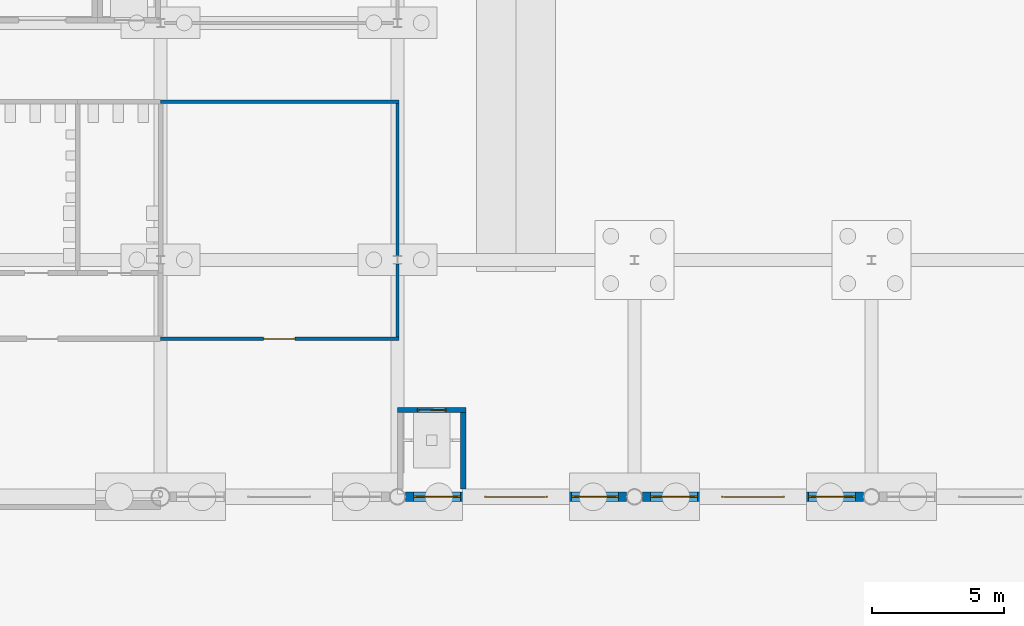
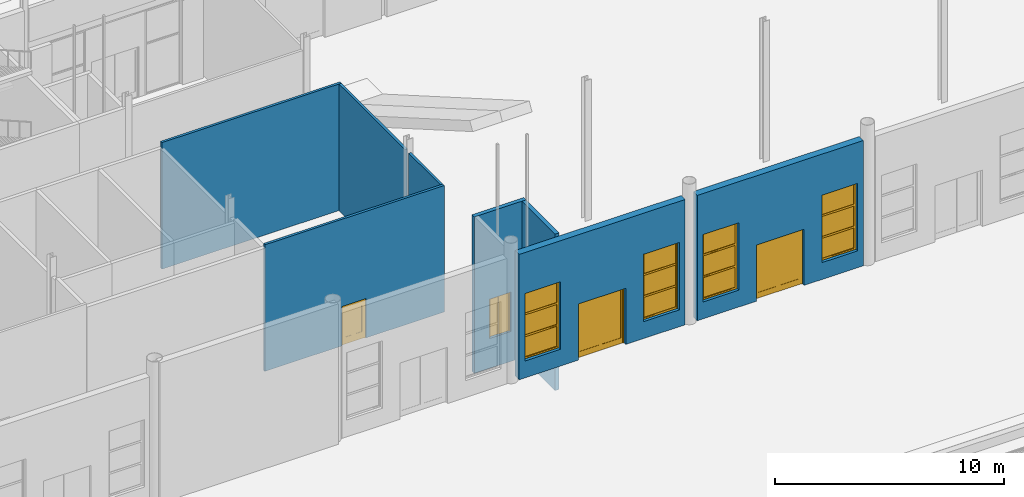
# One storey, part 123 of 250: 8 walls, 4 doors, 4 windows, 8 openings.
"""IFC4 building model written with IfcOpenShell, lengths in metres."""

import ifcopenshell
import ifcopenshell.guid

model = None  # the IFC model being written
_history = None  # IfcOwnerHistory: only IFC2X3 demands one
_inside = {}  # id of a spatial element -> (the spatial element, [elements in it])
_under = {}  # id of a project, library or spatial element -> (it, [spatial elements below it])
_declared = {}  # id of a project -> (the project, [libraries it declares])
_typed = {}  # id of a type object -> (the type object, [elements of that type])
_made_of = {}  # id of a material, layer set ... -> (it, [elements and type objects made of it])


def new_model(schema):
    """Start an empty IFC model of exactly this schema.

    Asked for "IFC4X3", IfcOpenShell would pick the latest addendum, in which some entities
    have other attributes; the version numbers below select the first issue.
    IFC2X3 requires an IfcOwnerHistory on every rooted entity: one is made here for all.
    """
    global model, _history
    if schema == "IFC4X3":
        model = ifcopenshell.file(schema_version=(4, 3, 0, 0))
    else:
        model = ifcopenshell.file(schema=schema)
    _inside.clear()
    _under.clear()
    _declared.clear()
    _typed.clear()
    _made_of.clear()
    _history = None
    if model.schema == "IFC2X3":
        org = make("IfcOrganization", Name="unknown")
        user = make(
            "IfcPersonAndOrganization",
            ThePerson=make("IfcPerson", FamilyName="unknown"),
            TheOrganization=org,
        )
        app = make(
            "IfcApplication",
            ApplicationDeveloper=org,
            Version="unknown",
            ApplicationFullName="unknown",
            ApplicationIdentifier="unknown",
        )
        _history = make(
            "IfcOwnerHistory",
            OwningUser=user,
            OwningApplication=app,
            ChangeAction="ADDED",
            CreationDate=0,
        )
    return model


def make(cls, **values):
    """One entity of the class cls with the attributes given. An attribute that is None is left unset."""
    return model.create_entity(
        cls, **{name: value for name, value in values.items() if value is not None}
    )


def rooted(cls, **values):
    """An entity with a GlobalId (a new one), such as an element, a storey or a relation."""
    return make(cls, GlobalId=ifcopenshell.guid.new(), OwnerHistory=_history, **values)


def si_unit(unit_type, name, prefix=None):
    """IfcSIUnit, for example si_unit("LENGTHUNIT", "METRE", prefix="MILLI")."""
    return make("IfcSIUnit", UnitType=unit_type, Prefix=prefix, Name=name)


def assignment(units):
    """IfcUnitAssignment: the units of a project."""
    return None if units is None else make("IfcUnitAssignment", Units=units)


def point(xyz):
    """IfcCartesianPoint."""
    return None if xyz is None else make("IfcCartesianPoint", Coordinates=xyz)


def direction(xyz):
    """IfcDirection."""
    return None if xyz is None else make("IfcDirection", DirectionRatios=xyz)


def frame(location, z_axis=None, x_axis=None):
    """IfcAxis2Placement3D, a coordinate frame: its origin and axes. An axis left out is left unset."""
    return make(
        "IfcAxis2Placement3D",
        Location=point(location),
        Axis=direction(z_axis),
        RefDirection=direction(x_axis),
    )


def frame_2d(location, x_axis=None):
    """IfcAxis2Placement2D, a coordinate frame in the plane: its origin and x axis."""
    return make(
        "IfcAxis2Placement2D", Location=point(location), RefDirection=direction(x_axis)
    )


def origin():
    """The frame at (0, 0, 0) with its axes left unset."""
    return frame((0.0, 0.0, 0.0))


def place(relative_to, where):
    """IfcLocalPlacement: puts the frame where relative to a parent placement (None: the world)."""
    return make(
        "IfcLocalPlacement", PlacementRelTo=relative_to, RelativePlacement=where
    )


def context(
    kind, dimensions, precision=None, world=None, true_north=None, identifier=None
):
    """IfcGeometricRepresentationContext, for example the 3D "Model" context."""
    return make(
        "IfcGeometricRepresentationContext",
        ContextIdentifier=identifier,
        ContextType=kind,
        CoordinateSpaceDimension=dimensions,
        Precision=precision,
        WorldCoordinateSystem=world,
        TrueNorth=true_north,
    )


def subcontext(parent, identifier, kind, view, scale=None):
    """IfcGeometricRepresentationSubContext, for example "Body" below "Model"."""
    return make(
        "IfcGeometricRepresentationSubContext",
        ContextIdentifier=identifier,
        ContextType=kind,
        ParentContext=parent,
        TargetScale=scale,
        TargetView=view,
    )


def project(units=None, contexts=None):
    """IfcProject with its units and contexts."""
    return rooted(
        "IfcProject",
        Name="project",
        RepresentationContexts=contexts,
        UnitsInContext=assignment(units),
    )


def spatial(cls, under=None, at=None, **own):
    """A site, building, storey or space (cls), placed at a placement, below another one or the project."""
    s = rooted(cls, ObjectPlacement=at, **own)
    if under is not None:
        _under.setdefault(under.id(), (under, []))[1].append(s)
    return s


def polyline(points):
    """IfcPolyline through the points."""
    return make("IfcPolyline", Points=[point(p) for p in points])


def profile(cls, at=None, kind="AREA", **sizes):
    """A parametric profile (cls). Its sizes go by their IFC names, for example OverallWidth=200.0."""
    return make(cls, ProfileType=kind, Position=at, **sizes)


def rectangle(**sizes):
    """IfcRectangleProfileDef."""
    return profile("IfcRectangleProfileDef", **sizes)


def outline(outer, holes=None, kind="AREA"):
    """IfcArbitraryClosedProfileDef: a profile drawn as a closed curve; with holes, ...WithVoids."""
    if holes is None:
        return make("IfcArbitraryClosedProfileDef", ProfileType=kind, OuterCurve=outer)
    return make(
        "IfcArbitraryProfileDefWithVoids",
        ProfileType=kind,
        OuterCurve=outer,
        InnerCurves=holes,
    )


def extrude(swept, where, along, depth):
    """IfcExtrudedAreaSolid: the profile swept, set in the frame where, extruded along a direction by depth."""
    return make(
        "IfcExtrudedAreaSolid",
        SweptArea=swept,
        Position=where,
        ExtrudedDirection=direction(along),
        Depth=depth,
    )


def shape(context_of_items, identifier, shape_type, items):
    """IfcShapeRepresentation: the items that make up one representation, for example the "Body"."""
    return make(
        "IfcShapeRepresentation",
        ContextOfItems=context_of_items,
        RepresentationIdentifier=identifier,
        RepresentationType=shape_type,
        Items=items,
    )


def material(Name=None, Category=None):
    """IfcMaterial."""
    return make("IfcMaterial", Name=Name, Category=Category)


def layer(
    of_material, thickness, ventilated=None, Name=None, Category=None, Priority=None
):
    """IfcMaterialLayer: one layer of a wall or slab, of a material (None: an air gap)."""
    return make(
        "IfcMaterialLayer",
        Material=of_material,
        LayerThickness=thickness,
        IsVentilated=ventilated,
        Name=Name,
        Category=Category,
        Priority=Priority,
    )


def layer_set(layers, Name=None):
    """IfcMaterialLayerSet."""
    return make("IfcMaterialLayerSet", MaterialLayers=layers, LayerSetName=Name)


def made_of(thing, what):
    """Note that an element or type object is made of a material, layer set ...; save() writes the relation."""
    if what is not None:
        _made_of.setdefault(what.id(), (what, []))[1].append(thing)
    return thing


def type_object(cls, material=None, **own):
    """A type object (cls), such as IfcWallType, which elements share."""
    return made_of(rooted(cls, **own), material)


def element(
    cls,
    number,
    at=None,
    inside=None,
    cuts=None,
    type_object=None,
    material=None,
    context=None,
    identifier="Body",
    shape_type=None,
    held_by="IfcProductDefinitionShape",
    body=None,
    shapes=None,
    **own,
):
    """One element of the class cls, such as IfcWall. Its Tag is "e" and its number.

    at: its placement. inside: the storey or other place that contains it. cuts: it is an
    opening in that element (IfcRelVoidsElement). A single representation is given by context,
    identifier, shape_type and body (its items); several are given by shapes. held_by: the class
    of the entity that holds the representations. save() writes the other relations.
    """
    e = rooted(cls, Tag="e%d" % number, ObjectPlacement=at, **own)
    if body is not None:
        shapes = [shape(context, identifier, shape_type, body)]
    if shapes is not None:
        e.Representation = make(held_by, Representations=shapes)
    if inside is not None:
        _inside.setdefault(inside.id(), (inside, []))[1].append(e)
    if cuts is not None:
        rooted(
            "IfcRelVoidsElement", RelatingBuildingElement=cuts, RelatedOpeningElement=e
        )
    if type_object is not None:
        _typed.setdefault(type_object.id(), (type_object, []))[1].append(e)
    return made_of(e, material)


def fill(opening, filler):
    """IfcRelFillsElement: the door or window that sits in an opening."""
    return rooted(
        "IfcRelFillsElement",
        RelatingOpeningElement=opening,
        RelatedBuildingElement=filler,
    )


def aggregate(whole, parts):
    """IfcRelAggregates: a whole, such as a stair, and the parts it consists of."""
    return rooted("IfcRelAggregates", RelatingObject=whole, RelatedObjects=parts)


def save(model, path):
    """Write the relations noted so far, then the file.

    IfcRelAggregates (storeys below a building ...), IfcRelContainedInSpatialStructure (elements
    in a storey), IfcRelDefinesByType, IfcRelAssociatesMaterial and IfcRelDeclares: one each for
    every whole, place, type object, material and project.
    """
    for whole, parts in _under.values():
        aggregate(whole, parts)
    for where, things in _inside.values():
        rooted(
            "IfcRelContainedInSpatialStructure",
            RelatedElements=things,
            RelatingStructure=where,
        )
    for kind, things in _typed.values():
        rooted("IfcRelDefinesByType", RelatedObjects=things, RelatingType=kind)
    for what, things in _made_of.values():
        rooted("IfcRelAssociatesMaterial", RelatedObjects=things, RelatingMaterial=what)
    for by, libraries in _declared.values():
        rooted("IfcRelDeclares", RelatingContext=by, RelatedDefinitions=libraries)
    model.write(path)


model = new_model("IFC4")

# Units and contexts
model_context = context("Model", 3, precision=1e-05, world=origin(), true_north=direction((0.0, 1.0)))
body_context = subcontext(model_context, "Body", "Model", "MODEL_VIEW")
ifc_project = project(units=[si_unit("LENGTHUNIT", "METRE"), si_unit("AREAUNIT", "SQUARE_METRE"), si_unit("VOLUMEUNIT", "CUBIC_METRE"), si_unit("PLANEANGLEUNIT", "RADIAN"), si_unit("MASSUNIT", "GRAM", prefix="KILO")], contexts=[model_context])

# Site, building, storey
site_placement = place(None, origin())
site = spatial("IfcSite", under=ifc_project, at=site_placement, CompositionType="ELEMENT")
building_placement = place(site_placement, origin())
building = spatial("IfcBuilding", under=site, at=building_placement, Name="Baradari Gate Terminus", CompositionType="ELEMENT")
storey_placement = place(building_placement, origin())
storey = spatial("IfcBuildingStorey", under=building, at=storey_placement, Name="L00", CompositionType="ELEMENT", Elevation=0.0)

# Wall
ifc_material_1 = material(Name="Gypsum board")
ifc_layer_1 = layer(ifc_material_1, 0.125)
ifc_layer_set_1 = layer_set([ifc_layer_1], Name="Gypsum board")
wall_type_1 = type_object("IfcWallType", Name="Corridor partition PT-5 125 EI 30", PredefinedType="PARTITIONING", material=ifc_layer_set_1)
wall_1_placement = place(storey_placement, frame((135.0625, 96.0, 0.0), z_axis=(0.0, 0.0, 1.0), x_axis=(-1.0, 0.0, 0.0)))
element("IfcWall", 1, at=wall_1_placement, inside=storey, type_object=wall_type_1, Name="PT-5 partition Corridor (Service Corridor West) / Booking Office", PredefinedType="PARTITIONING", context=body_context, shape_type="SweptSolid", body=[
    extrude(rectangle(XDim=9.0625, YDim=0.125, at=frame_2d((4.53125, 0.0))), origin(), (0.0, 0.0, 1.0), 6.757080078125),
])

# Wall, opening, door
wall_2_placement = place(storey_placement, frame((126.0, 87.0, 0.0), z_axis=(0.0, 0.0, 1.0), x_axis=(1.0, 0.0, 0.0)))
wall_2 = element("IfcWall", 2, at=wall_2_placement, inside=storey, type_object=wall_type_1, Name="PT-5 partition Corridor (Platform Passage West) / Booking Office", PredefinedType="PARTITIONING", context=body_context, shape_type="SweptSolid", body=[
    extrude(rectangle(XDim=9.0625, YDim=0.125, at=frame_2d((4.53125, 0.0))), origin(), (0.0, 0.0, 1.0), 6.757080078125),
])
opening_1_placement = place(wall_2_placement, frame((3.89990234375, 0.0, 0.0)))
opening_1 = element("IfcOpeningElement", 3, at=opening_1_placement, cuts=wall_2, Name="Opening D00-110", PredefinedType="OPENING", context=body_context, shape_type="SweptSolid", body=[
    extrude(rectangle(XDim=1.199951171875, YDim=2.10009765625, at=frame_2d((0.60009765625, 1.050048828125))), frame((0.0, 0.072509765625, 0.0), z_axis=(0.0, -1.0, 0.0), x_axis=(1.0, 0.0, 0.0)), (0.0, 0.0, 1.0), 0.14501953125),
])
ifc_material_2 = material(Name="Steel S275", Category="steel")
door_type_1 = type_object("IfcDoorType", Name="Fire door FI-1200-FD30S 1200x2100 FD30S", OperationType="DOUBLE_DOOR_SINGLE_SWING", PredefinedType="DOOR", material=ifc_material_2)
door_1_placement = place(opening_1_placement, origin())
door_1 = element("IfcDoor", 4, at=door_1_placement, inside=storey, type_object=door_type_1, Name="Door Booking Office", OperationType="DOUBLE_DOOR_SINGLE_SWING", OverallHeight=2.1, OverallWidth=1.2, PredefinedType="DOOR", context=body_context, shape_type="SweptSolid", body=[
    extrude(outline(polyline([(0.0, 0.0), (0.070068359375, 0.0), (0.070068359375, 2.030029296875), (1.1298828125, 2.030029296875), (1.1298828125, 0.0), (1.199951171875, 0.0), (1.199951171875, 2.10009765625), (0.0, 2.10009765625), (0.0, 0.0)])), frame((0.0, 0.02490234375, 0.0), z_axis=(0.0, -1.0, 0.0), x_axis=(1.0, 0.0, 0.0)), (0.0, 0.0, 1.0), 0.050048828125),
    extrude(outline(polyline([(0.073974609375, 0.010009765625), (0.596923828125, 0.010009765625), (0.596923828125, 2.026123046875), (0.073974609375, 2.026123046875), (0.073974609375, 0.010009765625)]), holes=[polyline([(0.178466796875, 0.372802734375), (0.492431640625, 0.372802734375), (0.492431640625, 1.7841796875), (0.178466796875, 1.7841796875), (0.178466796875, 0.372802734375)])]), frame((0.0, 0.017333984375, 0.0), z_axis=(0.0, -1.0, 0.0), x_axis=(1.0, 0.0, 0.0)), (0.0, 0.0, 1.0), 0.034912109375),
    extrude(rectangle(XDim=0.31396484375, YDim=1.411376953125, at=frame_2d((0.33544921875, 1.07861328125))), frame((0.0, 0.008544921875, 0.0), z_axis=(0.0, -1.0, 0.0), x_axis=(1.0, 0.0, 0.0)), (0.0, 0.0, 1.0), 0.017333984375),
    extrude(outline(polyline([(0.60302734375, 0.010009765625), (1.1259765625, 0.010009765625), (1.1259765625, 2.026123046875), (0.60302734375, 2.026123046875), (0.60302734375, 0.010009765625)]), holes=[polyline([(0.70751953125, 0.372802734375), (1.021484375, 0.372802734375), (1.021484375, 1.7841796875), (0.70751953125, 1.7841796875), (0.70751953125, 0.372802734375)])]), frame((0.0, 0.017333984375, 0.0), z_axis=(0.0, -1.0, 0.0), x_axis=(1.0, 0.0, 0.0)), (0.0, 0.0, 1.0), 0.034912109375),
    extrude(rectangle(XDim=0.31396484375, YDim=1.411376953125, at=frame_2d((0.864501953125, 1.07861328125))), frame((0.0, 0.008544921875, 0.0), z_axis=(0.0, -1.0, 0.0), x_axis=(1.0, 0.0, 0.0)), (0.0, 0.0, 1.0), 0.017333984375),
])
fill(opening_1, door_1)

# Walls
wall_3_placement = place(storey_placement, frame((135.0, 90.1572265625, 0.0), z_axis=(0.0, 0.0, 1.0), x_axis=(0.0, 1.0, 0.0)))
element("IfcWall", 5, at=wall_3_placement, inside=storey, type_object=wall_type_1, Name="PT-5 partition Ticket Hall / Booking Office", PredefinedType="PARTITIONING", context=body_context, shape_type="SweptSolid", body=[
    extrude(rectangle(XDim=5.7802734375, YDim=0.125, at=frame_2d((2.89013671875, 0.0))), origin(), (0.0, 0.0, 1.0), 6.757080078125),
])
wall_4_placement = place(storey_placement, frame((135.0, 87.0625, 0.0), z_axis=(0.0, 0.0, 1.0), x_axis=(0.0, 1.0, 0.0)))
element("IfcWall", 6, at=wall_4_placement, inside=storey, type_object=wall_type_1, Name="PT-5 partition Ticket Hall (Barrier Line) / Booking Office", PredefinedType="PARTITIONING", context=body_context, shape_type="SweptSolid", body=[
    extrude(rectangle(XDim=2.7802734375, YDim=0.125, at=frame_2d((1.39013671875, 0.0))), origin(), (0.0, 0.0, 1.0), 6.757080078125),
])

# Wall, opening, door
ifc_material_3 = material(Name="Blockwork wall, fire rated", Category="masonry")
ifc_layer_2 = layer(ifc_material_3, 0.199951171875)
ifc_layer_set_2 = layer_set([ifc_layer_2], Name="Blockwork wall, fire rated")
wall_type_2 = type_object("IfcWallType", Name="Lift shaft wall SH-1 200 EI 120", PredefinedType="SOLIDWALL", material=ifc_layer_set_2)
wall_5_placement = place(storey_placement, frame((135.0, 84.300048828125, -1.60009765625), z_axis=(0.0, 0.0, 1.0), x_axis=(1.0, 0.0, 0.0)))
wall_5 = element("IfcWall", 7, at=wall_5_placement, inside=storey, type_object=wall_type_2, Name="Lift shaft wall LHL L00 N", PredefinedType="SOLIDWALL", context=body_context, shape_type="SweptSolid", body=[
    extrude(rectangle(XDim=2.60009765625, YDim=0.199951171875, at=frame_2d((1.300048828125, 0.0))), origin(), (0.0, 0.0, 1.0), 8.357177734375),
])
opening_2_placement = place(wall_5_placement, frame((0.75, 0.0, 1.60009765625)))
opening_2 = element("IfcOpeningElement", 8, at=opening_2_placement, cuts=wall_5, Name="Opening D00-076", PredefinedType="OPENING", context=body_context, shape_type="SweptSolid", body=[
    extrude(rectangle(XDim=1.10009765625, YDim=2.10009765625, at=frame_2d((0.550048828125, 1.050048828125))), frame((0.0, 0.10986328125, 0.0), z_axis=(0.0, -1.0, 0.0), x_axis=(1.0, 0.0, 0.0)), (0.0, 0.0, 1.0), 0.219970703125),
])
ifc_material_4 = material(Name="Stainless steel 1.4301", Category="steel")
door_type_2 = type_object("IfcDoorType", Name="Lift landing door LD 1100x2100 E 120", OperationType="SLIDING_TO_LEFT", PredefinedType="DOOR", material=ifc_material_4)
door_2_placement = place(opening_2_placement, origin())
door_2 = element("IfcDoor", 9, at=door_2_placement, inside=storey, type_object=door_type_2, Name="Lift landing door LHL L00", OperationType="SLIDING_TO_LEFT", OverallHeight=2.1, OverallWidth=1.1, PredefinedType="DOOR", context=body_context, shape_type="SweptSolid", body=[
    extrude(outline(polyline([(0.0, 0.0), (0.070068359375, 0.0), (0.070068359375, 2.030029296875), (1.030029296875, 2.030029296875), (1.030029296875, 0.0), (1.10009765625, 0.0), (1.10009765625, 2.10009765625), (0.0, 2.10009765625), (0.0, 0.0)])), frame((0.0, 0.02490234375, 0.0), z_axis=(0.0, -1.0, 0.0), x_axis=(1.0, 0.0, 0.0)), (0.0, 0.0, 1.0), 0.050048828125),
    extrude(rectangle(XDim=0.523681640625, YDim=2.01611328125, at=frame_2d((0.3359375, 1.01806640625))), frame((0.0, 0.017822265625, 0.0), z_axis=(0.0, -1.0, 0.0), x_axis=(1.0, 0.0, 0.0)), (0.0, 0.0, 1.0), 0.015869140625),
    extrude(rectangle(XDim=0.519775390625, YDim=2.01611328125, at=frame_2d((0.76611328125, 1.01806640625))), frame((0.0, -0.002197265625, 0.0), z_axis=(0.0, -1.0, 0.0), x_axis=(1.0, 0.0, 0.0)), (0.0, 0.0, 1.0), 0.015869140625),
])
fill(opening_2, door_2)

# Wall
wall_6_placement = place(storey_placement, frame((137.5, 81.300048828125, -1.60009765625), z_axis=(0.0, 0.0, 1.0), x_axis=(0.0, 1.0, 0.0)))
element("IfcWall", 10, at=wall_6_placement, inside=storey, type_object=wall_type_2, Name="Lift shaft wall LHL L00 E", PredefinedType="SOLIDWALL", context=body_context, shape_type="SweptSolid", body=[
    extrude(rectangle(XDim=2.89990234375, YDim=0.199951171875, at=frame_2d((1.449951171875, 0.0))), origin(), (0.0, 0.0, 1.0), 8.357177734375),
])

# Wall, openings, door, windows
ifc_material_5 = material(Name="Sandstone masonry", Category="masonry")
ifc_layer_3 = layer(ifc_material_5, 0.35009765625)
ifc_layer_set_3 = layer_set([ifc_layer_3], Name="Sandstone masonry")
wall_type_3 = type_object("IfcWallType", Name="Sandstone masonry wall WS-1 350", PredefinedType="SOLIDWALL", material=ifc_layer_set_3)
wall_7_placement = place(storey_placement, frame((135.304931640625, 81.0, 0.0), z_axis=(0.0, 0.0, 1.0), x_axis=(1.0, 0.0, 0.0)))
wall_7 = element("IfcWall", 11, at=wall_7_placement, inside=storey, type_object=wall_type_3, Name="platform side HS bay 16 L00", PredefinedType="SOLIDWALL", context=body_context, shape_type="SweptSolid", body=[
    extrude(rectangle(XDim=8.39013671875, YDim=0.35009765625, at=frame_2d((4.195068359375, 0.0))), origin(), (0.0, 0.0, 1.0), 6.692138671875),
])
opening_3_placement = place(wall_7_placement, frame((2.9951171875, 0.0, 0.0)))
opening_3 = element("IfcOpeningElement", 12, at=opening_3_placement, cuts=wall_7, Name="Opening D00-036", PredefinedType="OPENING", context=body_context, shape_type="SweptSolid", body=[
    extrude(rectangle(XDim=2.39990234375, YDim=3.0, at=frame_2d((1.199951171875, 1.5))), frame((0.0, 0.18505859375, 0.0), z_axis=(0.0, -1.0, 0.0), x_axis=(1.0, 0.0, 0.0)), (0.0, 0.0, 1.0), 0.3701171875),
])
opening_4_placement = place(wall_7_placement, frame((0.294921875, 0.0, 0.89990234375)))
opening_4 = element("IfcOpeningElement", 13, at=opening_4_placement, cuts=wall_7, Name="Opening W3", PredefinedType="OPENING", context=body_context, shape_type="SweptSolid", body=[
    extrude(rectangle(XDim=1.800048828125, YDim=3.60009765625, at=frame_2d((0.89990234375, 1.800048828125))), frame((0.0, 0.18505859375, 0.0), z_axis=(0.0, -1.0, 0.0), x_axis=(1.0, 0.0, 0.0)), (0.0, 0.0, 1.0), 0.3701171875),
])
opening_5_placement = place(wall_7_placement, frame((6.294921875, 0.0, 0.89990234375)))
opening_5 = element("IfcOpeningElement", 14, at=opening_5_placement, cuts=wall_7, Name="Opening W3", PredefinedType="OPENING", context=body_context, shape_type="SweptSolid", body=[
    extrude(rectangle(XDim=1.800048828125, YDim=3.60009765625, at=frame_2d((0.89990234375, 1.800048828125))), frame((0.0, 0.18505859375, 0.0), z_axis=(0.0, -1.0, 0.0), x_axis=(1.0, 0.0, 0.0)), (0.0, 0.0, 1.0), 0.3701171875),
])
ifc_material_6 = material(Name="Aluminium 6063-T6", Category="aluminium")
door_type_3 = type_object("IfcDoorType", Name="Platform door pair, glazed DT-7 2400x3000", OperationType="DOUBLE_DOOR_SINGLE_SWING", PredefinedType="DOOR", material=ifc_material_6)
door_3_placement = place(opening_3_placement, frame((2.39990234375, 0.0, 0.0), z_axis=(0.0, 0.0, 1.0), x_axis=(-1.0, 0.0, 0.0)))
door_3 = element("IfcDoor", 15, at=door_3_placement, inside=storey, type_object=door_type_3, Name="Exit door Ticket Hall (Barrier Line)", OperationType="DOUBLE_DOOR_SINGLE_SWING", OverallHeight=3.0, OverallWidth=2.4, PredefinedType="DOOR", context=body_context, shape_type="SweptSolid", body=[
    extrude(outline(polyline([(0.0, 0.0), (0.070068359375, 0.0), (0.070068359375, 2.929931640625), (2.329833984375, 2.929931640625), (2.329833984375, 0.0), (2.39990234375, 0.0), (2.39990234375, 3.0), (0.0, 3.0), (0.0, 0.0)])), frame((0.0, 0.02490234375, 0.0), z_axis=(0.0, -1.0, 0.0), x_axis=(1.0, 0.0, 0.0)), (0.0, 0.0, 1.0), 0.050048828125),
    extrude(outline(polyline([(0.073974609375, 0.010009765625), (1.19677734375, 0.010009765625), (1.19677734375, 2.926025390625), (0.073974609375, 2.926025390625), (0.073974609375, 0.010009765625)]), holes=[polyline([(0.1640625, 0.31005859375), (1.10693359375, 0.31005859375), (1.10693359375, 2.8359375), (0.1640625, 2.8359375), (0.1640625, 0.31005859375)])]), frame((0.0, 0.017333984375, 0.0), z_axis=(0.0, -1.0, 0.0), x_axis=(1.0, 0.0, 0.0)), (0.0, 0.0, 1.0), 0.034912109375),
    extrude(rectangle(XDim=0.94287109375, YDim=2.52587890625, at=frame_2d((0.635498046875, 1.572998046875))), frame((0.0, 0.005859375, 0.0), z_axis=(0.0, -1.0, 0.0), x_axis=(1.0, 0.0, 0.0)), (0.0, 0.0, 1.0), 0.011962890625),
    extrude(outline(polyline([(1.203125, 0.010009765625), (2.325927734375, 0.010009765625), (2.325927734375, 2.926025390625), (1.203125, 2.926025390625), (1.203125, 0.010009765625)]), holes=[polyline([(1.29296875, 0.31005859375), (2.23583984375, 0.31005859375), (2.23583984375, 2.8359375), (1.29296875, 2.8359375), (1.29296875, 0.31005859375)])]), frame((0.0, 0.017333984375, 0.0), z_axis=(0.0, -1.0, 0.0), x_axis=(1.0, 0.0, 0.0)), (0.0, 0.0, 1.0), 0.034912109375),
    extrude(rectangle(XDim=0.94287109375, YDim=2.52587890625, at=frame_2d((1.764404296875, 1.572998046875))), frame((0.0, 0.005859375, 0.0), z_axis=(0.0, -1.0, 0.0), x_axis=(1.0, 0.0, 0.0)), (0.0, 0.0, 1.0), 0.011962890625),
])
fill(opening_3, door_3)
ifc_material_7 = material(Name="Aluminium 6063-T6", Category="aluminium")
window_type = type_object("IfcWindowType", Name="Tall window, 3-light W3 1800x3600", PartitioningType="TRIPLE_PANEL_HORIZONTAL", PredefinedType="WINDOW", material=ifc_material_7)
window_1_placement = place(opening_4_placement, origin())
window_1 = element("IfcWindow", 16, at=window_1_placement, inside=storey, type_object=window_type, Name="Window W3 HS/15", OverallHeight=3.6, OverallWidth=1.8, PartitioningType="TRIPLE_PANEL_HORIZONTAL", PredefinedType="WINDOW", context=body_context, shape_type="SweptSolid", body=[
    extrude(outline(polyline([(0.0, 0.0), (1.800048828125, 0.0), (1.800048828125, 3.60009765625), (0.0, 3.60009765625), (0.0, 0.0)]), holes=[polyline([(0.070068359375, 0.070068359375), (1.72998046875, 0.070068359375), (1.72998046875, 3.530029296875), (0.070068359375, 3.530029296875), (0.070068359375, 0.070068359375)])]), frame((0.0, 0.030029296875, 0.0), z_axis=(0.0, -1.0, 0.0), x_axis=(1.0, 0.0, 0.0)), (0.0, 0.0, 1.0), 0.06005859375),
    extrude(rectangle(XDim=1.659912109375, YDim=0.0400390625, at=frame_2d((0.89990234375, 1.216796875))), frame((0.0, 0.021484375, 0.0), z_axis=(0.0, -1.0, 0.0), x_axis=(1.0, 0.0, 0.0)), (0.0, 0.0, 1.0), 0.04296875),
    extrude(rectangle(XDim=1.659912109375, YDim=0.0400390625, at=frame_2d((0.89990234375, 2.38330078125))), frame((0.0, 0.021484375, 0.0), z_axis=(0.0, -1.0, 0.0), x_axis=(1.0, 0.0, 0.0)), (0.0, 0.0, 1.0), 0.04296875),
    extrude(outline(polyline([(0.070068359375, 0.070068359375), (1.72998046875, 0.070068359375), (1.72998046875, 1.19677734375), (0.070068359375, 1.19677734375), (0.070068359375, 0.070068359375)]), holes=[polyline([(0.10009765625, 0.10009765625), (1.699951171875, 0.10009765625), (1.699951171875, 1.166748046875), (0.10009765625, 1.166748046875), (0.10009765625, 0.10009765625)])]), frame((0.0, 0.0224609375, 0.0), z_axis=(0.0, -1.0, 0.0), x_axis=(1.0, 0.0, 0.0)), (0.0, 0.0, 1.0), 0.044921875),
    extrude(rectangle(XDim=1.599853515625, YDim=1.066650390625, at=frame_2d((0.89990234375, 0.63330078125))), frame((0.0, 0.006103515625, 0.0), z_axis=(0.0, -1.0, 0.0), x_axis=(1.0, 0.0, 0.0)), (0.0, 0.0, 1.0), 0.01220703125),
    extrude(outline(polyline([(0.070068359375, 1.23681640625), (1.72998046875, 1.23681640625), (1.72998046875, 2.36328125), (0.070068359375, 2.36328125), (0.070068359375, 1.23681640625)]), holes=[polyline([(0.10009765625, 1.266845703125), (1.699951171875, 1.266845703125), (1.699951171875, 2.333251953125), (0.10009765625, 2.333251953125), (0.10009765625, 1.266845703125)])]), frame((0.0, 0.0224609375, 0.0), z_axis=(0.0, -1.0, 0.0), x_axis=(1.0, 0.0, 0.0)), (0.0, 0.0, 1.0), 0.044921875),
    extrude(rectangle(XDim=1.599853515625, YDim=1.06640625, at=frame_2d((0.89990234375, 1.800048828125))), frame((0.0, 0.006103515625, 0.0), z_axis=(0.0, -1.0, 0.0), x_axis=(1.0, 0.0, 0.0)), (0.0, 0.0, 1.0), 0.01220703125),
    extrude(outline(polyline([(0.070068359375, 2.4033203125), (1.72998046875, 2.4033203125), (1.72998046875, 3.530029296875), (0.070068359375, 3.530029296875), (0.070068359375, 2.4033203125)]), holes=[polyline([(0.10009765625, 2.433349609375), (1.699951171875, 2.433349609375), (1.699951171875, 3.5), (0.10009765625, 3.5), (0.10009765625, 2.433349609375)])]), frame((0.0, 0.0224609375, 0.0), z_axis=(0.0, -1.0, 0.0), x_axis=(1.0, 0.0, 0.0)), (0.0, 0.0, 1.0), 0.044921875),
    extrude(rectangle(XDim=1.599853515625, YDim=1.066650390625, at=frame_2d((0.89990234375, 2.966796875))), frame((0.0, 0.006103515625, 0.0), z_axis=(0.0, -1.0, 0.0), x_axis=(1.0, 0.0, 0.0)), (0.0, 0.0, 1.0), 0.01220703125),
])
fill(opening_4, window_1)
window_2_placement = place(opening_5_placement, origin())
window_2 = element("IfcWindow", 17, at=window_2_placement, inside=storey, type_object=window_type, Name="Window W3 HS/15", OverallHeight=3.6, OverallWidth=1.8, PartitioningType="TRIPLE_PANEL_HORIZONTAL", PredefinedType="WINDOW", context=body_context, shape_type="SweptSolid", body=[
    extrude(outline(polyline([(0.0, 0.0), (1.800048828125, 0.0), (1.800048828125, 3.60009765625), (0.0, 3.60009765625), (0.0, 0.0)]), holes=[polyline([(0.070068359375, 0.070068359375), (1.72998046875, 0.070068359375), (1.72998046875, 3.530029296875), (0.070068359375, 3.530029296875), (0.070068359375, 0.070068359375)])]), frame((0.0, 0.030029296875, 0.0), z_axis=(0.0, -1.0, 0.0), x_axis=(1.0, 0.0, 0.0)), (0.0, 0.0, 1.0), 0.06005859375),
    extrude(rectangle(XDim=1.659912109375, YDim=0.0400390625, at=frame_2d((0.89990234375, 1.216796875))), frame((0.0, 0.021484375, 0.0), z_axis=(0.0, -1.0, 0.0), x_axis=(1.0, 0.0, 0.0)), (0.0, 0.0, 1.0), 0.04296875),
    extrude(rectangle(XDim=1.659912109375, YDim=0.0400390625, at=frame_2d((0.89990234375, 2.38330078125))), frame((0.0, 0.021484375, 0.0), z_axis=(0.0, -1.0, 0.0), x_axis=(1.0, 0.0, 0.0)), (0.0, 0.0, 1.0), 0.04296875),
    extrude(outline(polyline([(0.070068359375, 0.070068359375), (1.72998046875, 0.070068359375), (1.72998046875, 1.19677734375), (0.070068359375, 1.19677734375), (0.070068359375, 0.070068359375)]), holes=[polyline([(0.10009765625, 0.10009765625), (1.699951171875, 0.10009765625), (1.699951171875, 1.166748046875), (0.10009765625, 1.166748046875), (0.10009765625, 0.10009765625)])]), frame((0.0, 0.0224609375, 0.0), z_axis=(0.0, -1.0, 0.0), x_axis=(1.0, 0.0, 0.0)), (0.0, 0.0, 1.0), 0.044921875),
    extrude(rectangle(XDim=1.599853515625, YDim=1.066650390625, at=frame_2d((0.89990234375, 0.63330078125))), frame((0.0, 0.006103515625, 0.0), z_axis=(0.0, -1.0, 0.0), x_axis=(1.0, 0.0, 0.0)), (0.0, 0.0, 1.0), 0.01220703125),
    extrude(outline(polyline([(0.070068359375, 1.23681640625), (1.72998046875, 1.23681640625), (1.72998046875, 2.36328125), (0.070068359375, 2.36328125), (0.070068359375, 1.23681640625)]), holes=[polyline([(0.10009765625, 1.266845703125), (1.699951171875, 1.266845703125), (1.699951171875, 2.333251953125), (0.10009765625, 2.333251953125), (0.10009765625, 1.266845703125)])]), frame((0.0, 0.0224609375, 0.0), z_axis=(0.0, -1.0, 0.0), x_axis=(1.0, 0.0, 0.0)), (0.0, 0.0, 1.0), 0.044921875),
    extrude(rectangle(XDim=1.599853515625, YDim=1.06640625, at=frame_2d((0.89990234375, 1.800048828125))), frame((0.0, 0.006103515625, 0.0), z_axis=(0.0, -1.0, 0.0), x_axis=(1.0, 0.0, 0.0)), (0.0, 0.0, 1.0), 0.01220703125),
    extrude(outline(polyline([(0.070068359375, 2.4033203125), (1.72998046875, 2.4033203125), (1.72998046875, 3.530029296875), (0.070068359375, 3.530029296875), (0.070068359375, 2.4033203125)]), holes=[polyline([(0.10009765625, 2.433349609375), (1.699951171875, 2.433349609375), (1.699951171875, 3.5), (0.10009765625, 3.5), (0.10009765625, 2.433349609375)])]), frame((0.0, 0.0224609375, 0.0), z_axis=(0.0, -1.0, 0.0), x_axis=(1.0, 0.0, 0.0)), (0.0, 0.0, 1.0), 0.044921875),
    extrude(rectangle(XDim=1.599853515625, YDim=1.066650390625, at=frame_2d((0.89990234375, 2.966796875))), frame((0.0, 0.006103515625, 0.0), z_axis=(0.0, -1.0, 0.0), x_axis=(1.0, 0.0, 0.0)), (0.0, 0.0, 1.0), 0.01220703125),
])
fill(opening_5, window_2)

wall_8_placement = place(storey_placement, frame((144.304931640625, 81.0, 0.0), z_axis=(0.0, 0.0, 1.0), x_axis=(1.0, 0.0, 0.0)))
wall_8 = element("IfcWall", 18, at=wall_8_placement, inside=storey, type_object=wall_type_3, Name="platform side HS bay 17 L00", PredefinedType="SOLIDWALL", context=body_context, shape_type="SweptSolid", body=[
    extrude(rectangle(XDim=8.39013671875, YDim=0.35009765625, at=frame_2d((4.195068359375, 0.0))), origin(), (0.0, 0.0, 1.0), 6.692138671875),
])
opening_6_placement = place(wall_8_placement, frame((2.9951171875, 0.0, 0.0)))
opening_6 = element("IfcOpeningElement", 19, at=opening_6_placement, cuts=wall_8, Name="Opening D00-037", PredefinedType="OPENING", context=body_context, shape_type="SweptSolid", body=[
    extrude(rectangle(XDim=2.39990234375, YDim=3.0, at=frame_2d((1.199951171875, 1.5))), frame((0.0, 0.18505859375, 0.0), z_axis=(0.0, -1.0, 0.0), x_axis=(1.0, 0.0, 0.0)), (0.0, 0.0, 1.0), 0.3701171875),
])
opening_7_placement = place(wall_8_placement, frame((0.294921875, 0.0, 0.89990234375)))
opening_7 = element("IfcOpeningElement", 20, at=opening_7_placement, cuts=wall_8, Name="Opening W3", PredefinedType="OPENING", context=body_context, shape_type="SweptSolid", body=[
    extrude(rectangle(XDim=1.800048828125, YDim=3.60009765625, at=frame_2d((0.89990234375, 1.800048828125))), frame((0.0, 0.18505859375, 0.0), z_axis=(0.0, -1.0, 0.0), x_axis=(1.0, 0.0, 0.0)), (0.0, 0.0, 1.0), 0.3701171875),
])
opening_8_placement = place(wall_8_placement, frame((6.294921875, 0.0, 0.89990234375)))
opening_8 = element("IfcOpeningElement", 21, at=opening_8_placement, cuts=wall_8, Name="Opening W3", PredefinedType="OPENING", context=body_context, shape_type="SweptSolid", body=[
    extrude(rectangle(XDim=1.800048828125, YDim=3.60009765625, at=frame_2d((0.89990234375, 1.800048828125))), frame((0.0, 0.18505859375, 0.0), z_axis=(0.0, -1.0, 0.0), x_axis=(1.0, 0.0, 0.0)), (0.0, 0.0, 1.0), 0.3701171875),
])
door_4_placement = place(opening_6_placement, frame((2.39990234375, 0.0, 0.0), z_axis=(0.0, 0.0, 1.0), x_axis=(-1.0, 0.0, 0.0)))
door_4 = element("IfcDoor", 22, at=door_4_placement, inside=storey, type_object=door_type_3, Name="Exit door Ticket Hall (Barrier Line)", OperationType="DOUBLE_DOOR_SINGLE_SWING", OverallHeight=3.0, OverallWidth=2.4, PredefinedType="DOOR", context=body_context, shape_type="SweptSolid", body=[
    extrude(outline(polyline([(0.0, 0.0), (0.070068359375, 0.0), (0.070068359375, 2.929931640625), (2.329833984375, 2.929931640625), (2.329833984375, 0.0), (2.39990234375, 0.0), (2.39990234375, 3.0), (0.0, 3.0), (0.0, 0.0)])), frame((0.0, 0.02490234375, 0.0), z_axis=(0.0, -1.0, 0.0), x_axis=(1.0, 0.0, 0.0)), (0.0, 0.0, 1.0), 0.050048828125),
    extrude(outline(polyline([(0.073974609375, 0.010009765625), (1.19677734375, 0.010009765625), (1.19677734375, 2.926025390625), (0.073974609375, 2.926025390625), (0.073974609375, 0.010009765625)]), holes=[polyline([(0.1640625, 0.31005859375), (1.10693359375, 0.31005859375), (1.10693359375, 2.8359375), (0.1640625, 2.8359375), (0.1640625, 0.31005859375)])]), frame((0.0, 0.017333984375, 0.0), z_axis=(0.0, -1.0, 0.0), x_axis=(1.0, 0.0, 0.0)), (0.0, 0.0, 1.0), 0.034912109375),
    extrude(rectangle(XDim=0.94287109375, YDim=2.52587890625, at=frame_2d((0.635498046875, 1.572998046875))), frame((0.0, 0.005859375, 0.0), z_axis=(0.0, -1.0, 0.0), x_axis=(1.0, 0.0, 0.0)), (0.0, 0.0, 1.0), 0.011962890625),
    extrude(outline(polyline([(1.203125, 0.010009765625), (2.325927734375, 0.010009765625), (2.325927734375, 2.926025390625), (1.203125, 2.926025390625), (1.203125, 0.010009765625)]), holes=[polyline([(1.29296875, 0.31005859375), (2.23583984375, 0.31005859375), (2.23583984375, 2.8359375), (1.29296875, 2.8359375), (1.29296875, 0.31005859375)])]), frame((0.0, 0.017333984375, 0.0), z_axis=(0.0, -1.0, 0.0), x_axis=(1.0, 0.0, 0.0)), (0.0, 0.0, 1.0), 0.034912109375),
    extrude(rectangle(XDim=0.94287109375, YDim=2.52587890625, at=frame_2d((1.764404296875, 1.572998046875))), frame((0.0, 0.005859375, 0.0), z_axis=(0.0, -1.0, 0.0), x_axis=(1.0, 0.0, 0.0)), (0.0, 0.0, 1.0), 0.011962890625),
])
fill(opening_6, door_4)
window_3_placement = place(opening_7_placement, origin())
window_3 = element("IfcWindow", 23, at=window_3_placement, inside=storey, type_object=window_type, Name="Window W3 HS/16", OverallHeight=3.6, OverallWidth=1.8, PartitioningType="TRIPLE_PANEL_HORIZONTAL", PredefinedType="WINDOW", context=body_context, shape_type="SweptSolid", body=[
    extrude(outline(polyline([(0.0, 0.0), (1.800048828125, 0.0), (1.800048828125, 3.60009765625), (0.0, 3.60009765625), (0.0, 0.0)]), holes=[polyline([(0.070068359375, 0.070068359375), (1.72998046875, 0.070068359375), (1.72998046875, 3.530029296875), (0.070068359375, 3.530029296875), (0.070068359375, 0.070068359375)])]), frame((0.0, 0.030029296875, 0.0), z_axis=(0.0, -1.0, 0.0), x_axis=(1.0, 0.0, 0.0)), (0.0, 0.0, 1.0), 0.06005859375),
    extrude(rectangle(XDim=1.659912109375, YDim=0.0400390625, at=frame_2d((0.89990234375, 1.216796875))), frame((0.0, 0.021484375, 0.0), z_axis=(0.0, -1.0, 0.0), x_axis=(1.0, 0.0, 0.0)), (0.0, 0.0, 1.0), 0.04296875),
    extrude(rectangle(XDim=1.659912109375, YDim=0.0400390625, at=frame_2d((0.89990234375, 2.38330078125))), frame((0.0, 0.021484375, 0.0), z_axis=(0.0, -1.0, 0.0), x_axis=(1.0, 0.0, 0.0)), (0.0, 0.0, 1.0), 0.04296875),
    extrude(outline(polyline([(0.070068359375, 0.070068359375), (1.72998046875, 0.070068359375), (1.72998046875, 1.19677734375), (0.070068359375, 1.19677734375), (0.070068359375, 0.070068359375)]), holes=[polyline([(0.10009765625, 0.10009765625), (1.699951171875, 0.10009765625), (1.699951171875, 1.166748046875), (0.10009765625, 1.166748046875), (0.10009765625, 0.10009765625)])]), frame((0.0, 0.0224609375, 0.0), z_axis=(0.0, -1.0, 0.0), x_axis=(1.0, 0.0, 0.0)), (0.0, 0.0, 1.0), 0.044921875),
    extrude(rectangle(XDim=1.599853515625, YDim=1.066650390625, at=frame_2d((0.89990234375, 0.63330078125))), frame((0.0, 0.006103515625, 0.0), z_axis=(0.0, -1.0, 0.0), x_axis=(1.0, 0.0, 0.0)), (0.0, 0.0, 1.0), 0.01220703125),
    extrude(outline(polyline([(0.070068359375, 1.23681640625), (1.72998046875, 1.23681640625), (1.72998046875, 2.36328125), (0.070068359375, 2.36328125), (0.070068359375, 1.23681640625)]), holes=[polyline([(0.10009765625, 1.266845703125), (1.699951171875, 1.266845703125), (1.699951171875, 2.333251953125), (0.10009765625, 2.333251953125), (0.10009765625, 1.266845703125)])]), frame((0.0, 0.0224609375, 0.0), z_axis=(0.0, -1.0, 0.0), x_axis=(1.0, 0.0, 0.0)), (0.0, 0.0, 1.0), 0.044921875),
    extrude(rectangle(XDim=1.599853515625, YDim=1.06640625, at=frame_2d((0.89990234375, 1.800048828125))), frame((0.0, 0.006103515625, 0.0), z_axis=(0.0, -1.0, 0.0), x_axis=(1.0, 0.0, 0.0)), (0.0, 0.0, 1.0), 0.01220703125),
    extrude(outline(polyline([(0.070068359375, 2.4033203125), (1.72998046875, 2.4033203125), (1.72998046875, 3.530029296875), (0.070068359375, 3.530029296875), (0.070068359375, 2.4033203125)]), holes=[polyline([(0.10009765625, 2.433349609375), (1.699951171875, 2.433349609375), (1.699951171875, 3.5), (0.10009765625, 3.5), (0.10009765625, 2.433349609375)])]), frame((0.0, 0.0224609375, 0.0), z_axis=(0.0, -1.0, 0.0), x_axis=(1.0, 0.0, 0.0)), (0.0, 0.0, 1.0), 0.044921875),
    extrude(rectangle(XDim=1.599853515625, YDim=1.066650390625, at=frame_2d((0.89990234375, 2.966796875))), frame((0.0, 0.006103515625, 0.0), z_axis=(0.0, -1.0, 0.0), x_axis=(1.0, 0.0, 0.0)), (0.0, 0.0, 1.0), 0.01220703125),
])
fill(opening_7, window_3)
window_4_placement = place(opening_8_placement, origin())
window_4 = element("IfcWindow", 24, at=window_4_placement, inside=storey, type_object=window_type, Name="Window W3 HS/16", OverallHeight=3.6, OverallWidth=1.8, PartitioningType="TRIPLE_PANEL_HORIZONTAL", PredefinedType="WINDOW", context=body_context, shape_type="SweptSolid", body=[
    extrude(outline(polyline([(0.0, 0.0), (1.800048828125, 0.0), (1.800048828125, 3.60009765625), (0.0, 3.60009765625), (0.0, 0.0)]), holes=[polyline([(0.070068359375, 0.070068359375), (1.72998046875, 0.070068359375), (1.72998046875, 3.530029296875), (0.070068359375, 3.530029296875), (0.070068359375, 0.070068359375)])]), frame((0.0, 0.030029296875, 0.0), z_axis=(0.0, -1.0, 0.0), x_axis=(1.0, 0.0, 0.0)), (0.0, 0.0, 1.0), 0.06005859375),
    extrude(rectangle(XDim=1.659912109375, YDim=0.0400390625, at=frame_2d((0.89990234375, 1.216796875))), frame((0.0, 0.021484375, 0.0), z_axis=(0.0, -1.0, 0.0), x_axis=(1.0, 0.0, 0.0)), (0.0, 0.0, 1.0), 0.04296875),
    extrude(rectangle(XDim=1.659912109375, YDim=0.0400390625, at=frame_2d((0.89990234375, 2.38330078125))), frame((0.0, 0.021484375, 0.0), z_axis=(0.0, -1.0, 0.0), x_axis=(1.0, 0.0, 0.0)), (0.0, 0.0, 1.0), 0.04296875),
    extrude(outline(polyline([(0.070068359375, 0.070068359375), (1.72998046875, 0.070068359375), (1.72998046875, 1.19677734375), (0.070068359375, 1.19677734375), (0.070068359375, 0.070068359375)]), holes=[polyline([(0.10009765625, 0.10009765625), (1.699951171875, 0.10009765625), (1.699951171875, 1.166748046875), (0.10009765625, 1.166748046875), (0.10009765625, 0.10009765625)])]), frame((0.0, 0.0224609375, 0.0), z_axis=(0.0, -1.0, 0.0), x_axis=(1.0, 0.0, 0.0)), (0.0, 0.0, 1.0), 0.044921875),
    extrude(rectangle(XDim=1.599853515625, YDim=1.066650390625, at=frame_2d((0.89990234375, 0.63330078125))), frame((0.0, 0.006103515625, 0.0), z_axis=(0.0, -1.0, 0.0), x_axis=(1.0, 0.0, 0.0)), (0.0, 0.0, 1.0), 0.01220703125),
    extrude(outline(polyline([(0.070068359375, 1.23681640625), (1.72998046875, 1.23681640625), (1.72998046875, 2.36328125), (0.070068359375, 2.36328125), (0.070068359375, 1.23681640625)]), holes=[polyline([(0.10009765625, 1.266845703125), (1.699951171875, 1.266845703125), (1.699951171875, 2.333251953125), (0.10009765625, 2.333251953125), (0.10009765625, 1.266845703125)])]), frame((0.0, 0.0224609375, 0.0), z_axis=(0.0, -1.0, 0.0), x_axis=(1.0, 0.0, 0.0)), (0.0, 0.0, 1.0), 0.044921875),
    extrude(rectangle(XDim=1.599853515625, YDim=1.06640625, at=frame_2d((0.89990234375, 1.800048828125))), frame((0.0, 0.006103515625, 0.0), z_axis=(0.0, -1.0, 0.0), x_axis=(1.0, 0.0, 0.0)), (0.0, 0.0, 1.0), 0.01220703125),
    extrude(outline(polyline([(0.070068359375, 2.4033203125), (1.72998046875, 2.4033203125), (1.72998046875, 3.530029296875), (0.070068359375, 3.530029296875), (0.070068359375, 2.4033203125)]), holes=[polyline([(0.10009765625, 2.433349609375), (1.699951171875, 2.433349609375), (1.699951171875, 3.5), (0.10009765625, 3.5), (0.10009765625, 2.433349609375)])]), frame((0.0, 0.0224609375, 0.0), z_axis=(0.0, -1.0, 0.0), x_axis=(1.0, 0.0, 0.0)), (0.0, 0.0, 1.0), 0.044921875),
    extrude(rectangle(XDim=1.599853515625, YDim=1.066650390625, at=frame_2d((0.89990234375, 2.966796875))), frame((0.0, 0.006103515625, 0.0), z_axis=(0.0, -1.0, 0.0), x_axis=(1.0, 0.0, 0.0)), (0.0, 0.0, 1.0), 0.01220703125),
])
fill(opening_8, window_4)

save(model, "model.ifc")
